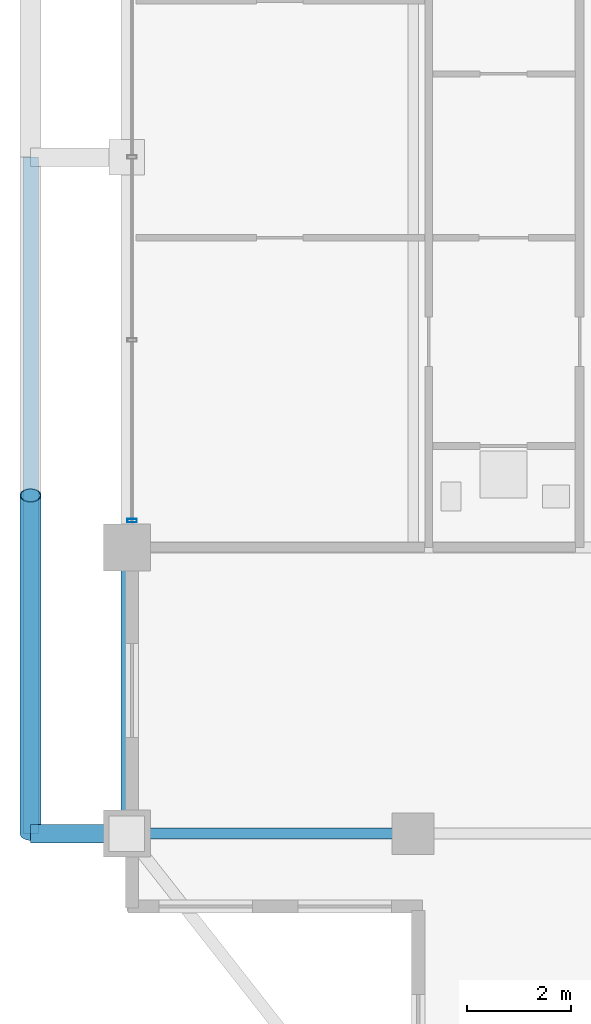
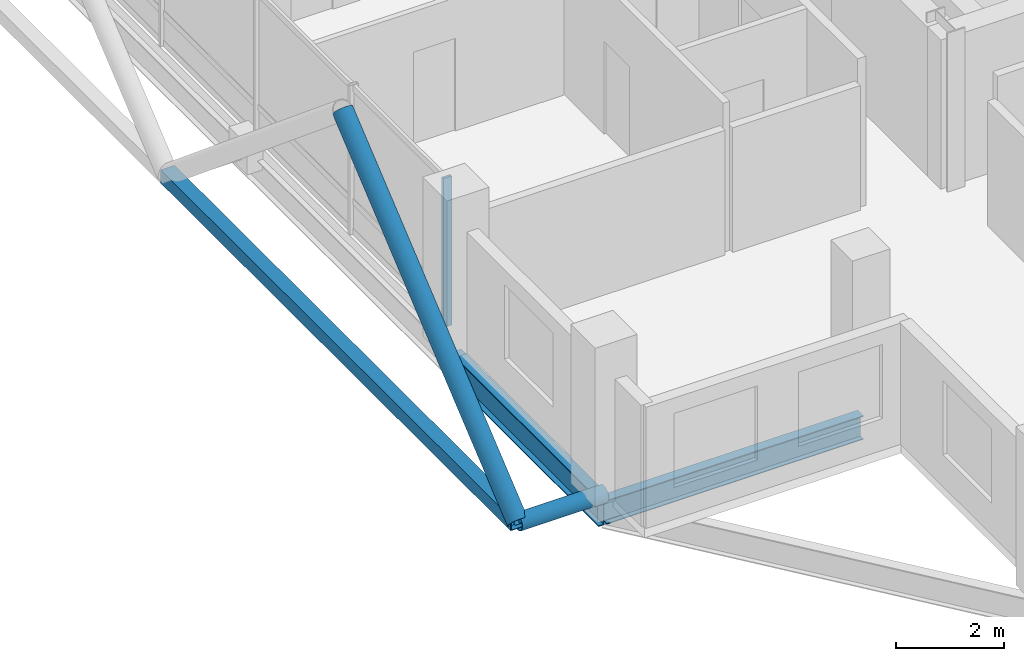
# One storey, part 3 of 24: 4 members, 2 beams, 1 element without a shape of its own.
"""IFC4 building model written with IfcOpenShell, lengths in metres."""

from ifc_helpers import new_model, si_unit, direction, frame, origin, origin_2d, place, context, subcontext, project, spatial, hollow_rectangle, hollow_circle, i_section, extrude, material, layer, layer_set, material_profile, profile_set, type_object, element, aggregate, save


model = new_model("IFC4")

# Units and contexts
model_context = context("Model", 3, precision=1e-05, world=origin(), true_north=direction((0.0, 1.0)))
body_context = subcontext(model_context, "Body", "Model", "MODEL_VIEW")
ifc_project = project(units=[si_unit("LENGTHUNIT", "METRE"), si_unit("AREAUNIT", "SQUARE_METRE"), si_unit("VOLUMEUNIT", "CUBIC_METRE"), si_unit("PLANEANGLEUNIT", "RADIAN"), si_unit("MASSUNIT", "GRAM", prefix="KILO")], contexts=[model_context])

# Site, building, storey
site_placement = place(None, origin())
site = spatial("IfcSite", under=ifc_project, at=site_placement, CompositionType="ELEMENT")
building_placement = place(site_placement, origin())
building = spatial("IfcBuilding", under=site, at=building_placement, Name="Barlavira Tower and Art Museum", CompositionType="ELEMENT")
storey_placement = place(building_placement, frame((0.0, 0.0, 251.10009765625)))
storey = spatial("IfcBuildingStorey", under=building, at=storey_placement, Name="L65", CompositionType="ELEMENT", Elevation=251.10009765625)

# Curtain wall, member
ifc_material_1 = material(Name="Low-iron coastal laminated glass", Category="glass")
ifc_layer = layer(ifc_material_1, 0.2099609375, Name="Low-iron coastal laminated glass")
ifc_layer_set = layer_set([ifc_layer], Name="Low-iron coastal laminated glass")
curtain_wall_type = type_object("IfcCurtainWallType", Name="Pale-Metal Unitised Curtain Wall Zone 4", PredefinedType="NOTDEFINED", material=ifc_layer_set)
curtain_wall_placement = place(storey_placement, origin())
curtain_wall = element("IfcCurtainWall", 1, at=curtain_wall_placement, inside=storey, type_object=curtain_wall_type, Name="L65 Curtain Wall CW4-L65-W-B3", PredefinedType="NOTDEFINED")
ifc_material_2 = material(Name="Pale anodised aluminium", Category="aluminium")
ifc_material_profile_1 = material_profile(ifc_material_2, hollow_rectangle(XDim=0.06494140625, YDim=0.179931640625, WallThickness=0.00390625, at=origin_2d()), Name="ALU-MULL 65x180x4")
ifc_profile_set_1 = profile_set([ifc_material_profile_1], Name="Pale anodised aluminium")
member_type_1 = type_object("IfcMemberType", Name="Curtain Wall Pale-Metal Mullion 65x180", PredefinedType="MULLION", material=ifc_profile_set_1)
member_1_placement = place(storey_placement, frame((-16.89990234375, -6.985107421875, 0.0), z_axis=(0.0, 0.0, 1.0), x_axis=(0.0, -1.0, 0.0)))
member_1 = element("IfcMember", 2, at=member_1_placement, type_object=member_type_1, Name="CW4-L65-W-B3 Mullion 4", PredefinedType="MULLION", context=body_context, shape_type="SweptSolid", body=[
    extrude(hollow_rectangle(XDim=0.06494140625, YDim=0.179931640625, WallThickness=0.00390625, at=origin_2d()), origin(), (0.0, 0.0, 1.0), 3.3798828125),
])
aggregate(curtain_wall, [member_1])

# Members
ifc_material_3 = material(Name="Steel S355", Category="steel")
ifc_material_profile_2 = material_profile(ifc_material_3, hollow_circle(Radius=0.203125, WallThickness=0.01611328125, at=origin_2d()), Name="CHS 406.4x16.0")
ifc_profile_set_2 = profile_set([ifc_material_profile_2], Name="Steel S355")
member_type_2 = type_object("IfcMemberType", Name="Pale-Metal Exoskeleton Diagrid Tube CHS 406x16 Steel S355", PredefinedType="BRACE", material=ifc_profile_set_2)
member_2_placement = place(storey_placement, frame((-18.85009765625, -13.0, -0.1201171875), z_axis=(0.0, 0.769196053329, 0.639012857104), x_axis=(-1.0, 0.0, 0.0)))
element("IfcMember", 3, at=member_2_placement, inside=storey, type_object=member_type_2, Name="L65 Exoskeleton Diagrid Tube W", PredefinedType="BRACE", context=body_context, shape_type="SweptSolid", body=[
    extrude(hollow_circle(Radius=0.203125, WallThickness=0.01611328125, at=origin_2d()), origin(), (0.0, 0.0, 1.0), 8.450439453125),
])
ifc_material_profile_3 = material_profile(ifc_material_3, hollow_circle(Radius=0.177734375, WallThickness=0.01611328125, at=origin_2d()), Name="CHS 355.6x16.0")
ifc_profile_set_3 = profile_set([ifc_material_profile_3], Name="Steel S355")
member_type_3 = type_object("IfcMemberType", Name="Pale-Metal Exoskeleton Tie Strut CHS 356x16 Steel S355", PredefinedType="STRUT", material=ifc_profile_set_3)
member_3_placement = place(storey_placement, frame((-18.85009765625, -13.0, -0.1201171875), z_axis=(1.0, 0.0, 0.0), x_axis=(0.0, 1.0, 0.0)))
element("IfcMember", 4, at=member_3_placement, inside=storey, type_object=member_type_3, Name="L65 Exoskeleton Tie Strut W1", PredefinedType="STRUT", context=body_context, shape_type="SweptSolid", body=[
    extrude(hollow_circle(Radius=0.177734375, WallThickness=0.01611328125, at=origin_2d()), origin(), (0.0, 0.0, 1.0), 1.85009765625),
])
ifc_material_profile_4 = material_profile(ifc_material_3, hollow_rectangle(XDim=0.300048828125, YDim=0.300048828125, WallThickness=0.01611328125, at=origin_2d()), Name="SHS 300x300x16.0")
ifc_profile_set_4 = profile_set([ifc_material_profile_4], Name="Steel S355")
member_type_4 = type_object("IfcMemberType", Name="Pale-Metal Upper Ring Strut SHS 300x300x16 Steel S355", PredefinedType="STRUT", material=ifc_profile_set_4)
member_4_placement = place(storey_placement, frame((-18.85009765625, -13.0, -0.1201171875), z_axis=(0.0, 1.0, 0.0), x_axis=(-1.0, 0.0, 0.0)))
element("IfcMember", 5, at=member_4_placement, inside=storey, type_object=member_type_4, Name="L65 Exoskeleton Ring Strut W", PredefinedType="STRUT", context=body_context, shape_type="SweptSolid", body=[
    extrude(hollow_rectangle(XDim=0.300048828125, YDim=0.300048828125, WallThickness=0.01611328125, at=origin_2d()), origin(), (0.0, 0.0, 1.0), 13.0),
])

# Beams
ifc_material_profile_5 = material_profile(ifc_material_3, i_section(OverallWidth=0.22998046875, OverallDepth=0.616943359375, WebThickness=0.01318359375, FlangeThickness=0.022216796875, at=origin_2d()), Name="W610x140.0")
ifc_profile_set_5 = profile_set([ifc_material_profile_5], Name="Steel S355")
beam_type_1 = type_object("IfcBeamType", Name="Upper Shaft Spandrel Edge Beam W610x140 Steel S355", PredefinedType="SPANDREL", material=ifc_profile_set_5)
beam_1_placement = place(storey_placement, frame((-17.0, -13.0, -0.528564453125), z_axis=(0.0, 1.0, 0.0), x_axis=(-1.0, 0.0, 0.0)))
element("IfcBeam", 6, at=beam_1_placement, inside=storey, type_object=beam_type_1, Name="L65 Spandrel 15", PredefinedType="SPANDREL", context=body_context, shape_type="SweptSolid", body=[
    extrude(i_section(OverallWidth=0.22998046875, OverallDepth=0.616943359375, WebThickness=0.01318359375, FlangeThickness=0.022216796875, at=origin_2d()), origin(), (0.0, 0.0, 1.0), 5.5),
])
ifc_material_profile_6 = material_profile(ifc_material_3, i_section(OverallWidth=0.2109375, OverallDepth=0.5390625, WebThickness=0.01171875, FlangeThickness=0.018798828125, at=origin_2d()), Name="W530x109.0")
ifc_profile_set_6 = profile_set([ifc_material_profile_6], Name="Steel S355")
beam_type_2 = type_object("IfcBeamType", Name="Zone 3-4 Primary Floor Girder W530x109 Steel S355", PredefinedType="BEAM", material=ifc_profile_set_6)
beam_2_placement = place(storey_placement, frame((-17.0, -13.0, -0.489501953125), z_axis=(1.0, 0.0, 0.0), x_axis=(0.0, 1.0, 0.0)))
element("IfcBeam", 7, at=beam_2_placement, inside=storey, type_object=beam_type_2, Name="L65 Girder I-S1", PredefinedType="BEAM", context=body_context, shape_type="SweptSolid", body=[
    extrude(i_section(OverallWidth=0.2109375, OverallDepth=0.5390625, WebThickness=0.01171875, FlangeThickness=0.018798828125, at=origin_2d()), origin(), (0.0, 0.0, 1.0), 5.5),
])

save(model, "model.ifc")
